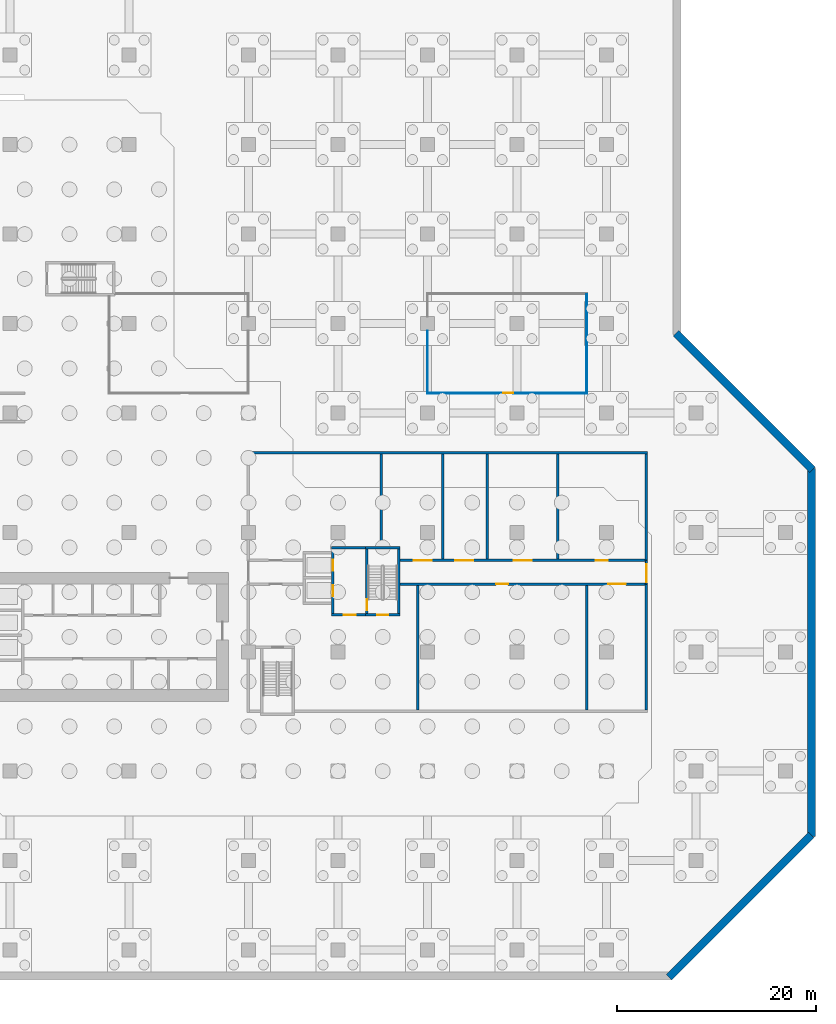
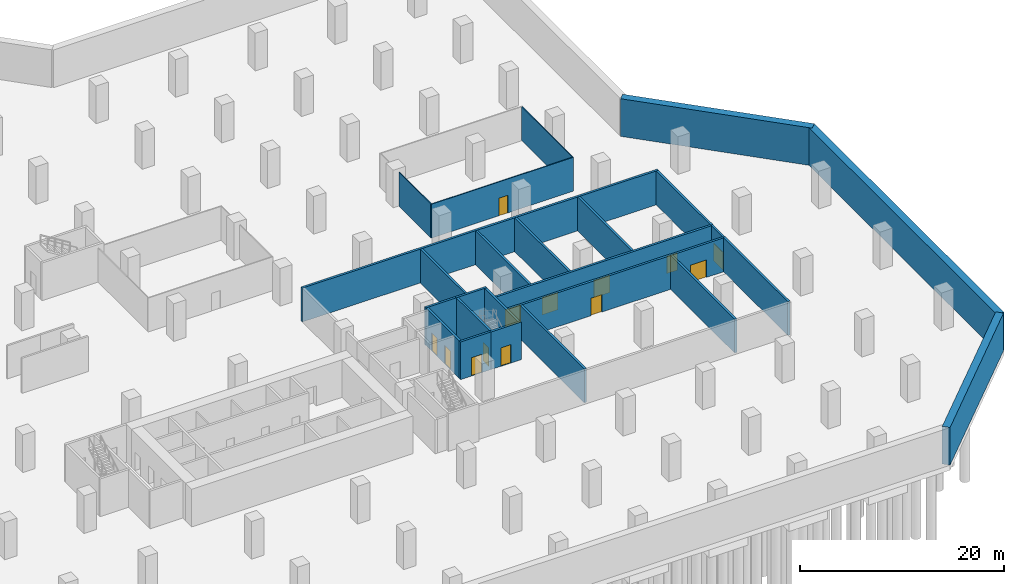
# One storey, part 9 of 13: 25 walls, 13 doors, 13 openings.
"""IFC4 building model written with IfcOpenShell, lengths in metres."""

from ifc_helpers import new_model, si_unit, direction, frame, frame_2d, origin, place, context, subcontext, project, spatial, rectangle, extrude, material, layer, layer_set, type_object, element, fill, save


model = new_model("IFC4")

# Units and contexts
model_context = context("Model", 3, precision=1e-05, world=origin(), true_north=direction((0.0, 1.0)))
body_context = subcontext(model_context, "Body", "Model", "MODEL_VIEW")
ifc_project = project(units=[si_unit("LENGTHUNIT", "METRE"), si_unit("AREAUNIT", "SQUARE_METRE"), si_unit("VOLUMEUNIT", "CUBIC_METRE"), si_unit("PLANEANGLEUNIT", "RADIAN"), si_unit("MASSUNIT", "GRAM", prefix="KILO")], contexts=[model_context])

# Site, building, storey
site_placement = place(None, origin())
site = spatial("IfcSite", under=ifc_project, at=site_placement, CompositionType="ELEMENT")
building_placement = place(site_placement, origin())
building = spatial("IfcBuilding", under=site, at=building_placement, Name="Chenar Terraces", CompositionType="ELEMENT")
storey_placement = place(building_placement, frame((0.0, 0.0, -13.5)))
storey = spatial("IfcBuildingStorey", under=building, at=storey_placement, Name="B3", CompositionType="ELEMENT", Elevation=-13.5)

# Wall, opening, door
ifc_material_1 = material(Name="Concrete C70/85", Category="concrete")
ifc_layer_1 = layer(ifc_material_1, 0.25)
ifc_layer_set_1 = layer_set([ifc_layer_1], Name="Concrete C70/85")
wall_type_1 = type_object("IfcWallType", Name="Core wall 250 Concrete C70/85", PredefinedType="SHEAR", material=ifc_layer_set_1)
wall_1_placement = place(storey_placement, frame((47.77490234375, 15.72509765625, 0.0), z_axis=(0.0, 0.0, 1.0), x_axis=(1.0, 0.0, 0.0)))
wall_1 = element("IfcWall", 1, at=wall_1_placement, inside=storey, type_object=wall_type_1, Name="Core wall ST3_S B3", PredefinedType="SHEAR", context=body_context, shape_type="SweptSolid", body=[
    extrude(rectangle(XDim=3.4501953125, YDim=0.25, at=frame_2d((1.72509765625, 0.0))), origin(), (0.0, 0.0, 1.0), 4.5),
])
opening_1_placement = place(wall_1_placement, frame((1.175048828125, 0.0, 0.0)))
opening_1 = element("IfcOpeningElement", 2, at=opening_1_placement, cuts=wall_1, Name="Opening DB3-C8", PredefinedType="OPENING", context=body_context, shape_type="SweptSolid", body=[
    extrude(rectangle(XDim=1.10009765625, YDim=2.199951171875, at=frame_2d((0.550048828125, 1.10009765625))), frame((0.0, 0.135009765625, 0.0), z_axis=(0.0, -1.0, 0.0), x_axis=(1.0, 0.0, 0.0)), (0.0, 0.0, 1.0), 0.27001953125),
])
ifc_material_2 = material(Name="Steel-framed fire-resisting door leaf", Category="steel")
door_type_1 = type_object("IfcDoorType", Name="Stair fire door FD60 1100 x 2200", OperationType="SINGLE_SWING_LEFT", PredefinedType="DOOR", material=ifc_material_2)
door_1_placement = place(opening_1_placement, frame((1.10009765625, 0.0, 0.0), z_axis=(0.0, 0.0, 1.0), x_axis=(-1.0, 0.0, 0.0)))
door_1 = element("IfcDoor", 3, at=door_1_placement, inside=storey, type_object=door_type_1, Name="Stair door DB3-C8", OperationType="SINGLE_SWING_RIGHT", OverallHeight=2.199951171875, OverallWidth=1.10009765625, PredefinedType="DOOR", context=body_context, shape_type="SweptSolid", body=[
    extrude(rectangle(XDim=1.10009765625, YDim=2.199951171875, at=frame_2d((0.550048828125, 1.10009765625))), frame((0.0, 0.02490234375, 0.0), z_axis=(0.0, -1.0, 0.0), x_axis=(1.0, 0.0, 0.0)), (0.0, 0.0, 1.0), 0.050048828125),
])
fill(opening_1, door_1)

# Wall
wall_2_placement = place(storey_placement, frame((47.77490234375, 22.47509765625, 0.0), z_axis=(0.0, 0.0, 1.0), x_axis=(1.0, 0.0, 0.0)))
element("IfcWall", 4, at=wall_2_placement, inside=storey, type_object=wall_type_1, Name="Core wall ST3_N B3", PredefinedType="SHEAR", context=body_context, shape_type="SweptSolid", body=[
    extrude(rectangle(XDim=3.4501953125, YDim=0.25, at=frame_2d((1.72509765625, 0.0))), origin(), (0.0, 0.0, 1.0), 4.5),
])

# Wall, opening, door
wall_3_placement = place(storey_placement, frame((47.89990234375, 15.85009765625, 0.0), z_axis=(0.0, 0.0, 1.0), x_axis=(0.0, 1.0, 0.0)))
wall_3 = element("IfcWall", 5, at=wall_3_placement, inside=storey, type_object=wall_type_1, Name="Core wall ST3_W B3", PredefinedType="SHEAR", context=body_context, shape_type="SweptSolid", body=[
    extrude(rectangle(XDim=6.5, YDim=0.25, at=frame_2d((3.25, 0.0))), origin(), (0.0, 0.0, 1.0), 4.5),
])
opening_2_placement = place(wall_3_placement, frame((0.35009765625, 0.0, 0.0)))
opening_2 = element("IfcOpeningElement", 6, at=opening_2_placement, cuts=wall_3, Name="Opening DB3-C11", PredefinedType="OPENING", context=body_context, shape_type="SweptSolid", body=[
    extrude(rectangle(XDim=1.10009765625, YDim=2.199951171875, at=frame_2d((0.550048828125, 1.10009765625))), frame((0.0, 0.135009765625, 0.0), z_axis=(0.0, -1.0, 0.0), x_axis=(1.0, 0.0, 0.0)), (0.0, 0.0, 1.0), 0.27001953125),
])
door_2_placement = place(opening_2_placement, frame((1.10009765625, 0.0, 0.0), z_axis=(0.0, 0.0, 1.0), x_axis=(-1.0, 0.0, 0.0)))
door_2 = element("IfcDoor", 7, at=door_2_placement, inside=storey, type_object=door_type_1, Name="Stair door DB3-C11", OperationType="SINGLE_SWING_RIGHT", OverallHeight=2.199951171875, OverallWidth=1.10009765625, PredefinedType="DOOR", context=body_context, shape_type="SweptSolid", body=[
    extrude(rectangle(XDim=1.10009765625, YDim=2.199951171875, at=frame_2d((0.550048828125, 1.10009765625))), frame((0.0, 0.02490234375, 0.0), z_axis=(0.0, -1.0, 0.0), x_axis=(1.0, 0.0, 0.0)), (0.0, 0.0, 1.0), 0.050048828125),
])
fill(opening_2, door_2)

# Wall
wall_4_placement = place(storey_placement, frame((51.10009765625, 15.85009765625, 0.0), z_axis=(0.0, 0.0, 1.0), x_axis=(0.0, 1.0, 0.0)))
element("IfcWall", 8, at=wall_4_placement, inside=storey, type_object=wall_type_1, Name="Core wall ST3_E B3", PredefinedType="SHEAR", context=body_context, shape_type="SweptSolid", body=[
    extrude(rectangle(XDim=6.5, YDim=0.25, at=frame_2d((3.25, 0.0))), origin(), (0.0, 0.0, 1.0), 4.5),
])

# Wall, opening, door
wall_5_placement = place(storey_placement, frame((44.35009765625, 15.72509765625, 0.0), z_axis=(0.0, 0.0, 1.0), x_axis=(1.0, 0.0, 0.0)))
wall_5 = element("IfcWall", 9, at=wall_5_placement, inside=storey, type_object=wall_type_1, Name="Core wall F3_LS B3", PredefinedType="SHEAR", context=body_context, shape_type="SweptSolid", body=[
    extrude(rectangle(XDim=3.4248046875, YDim=0.25, at=frame_2d((1.71240234375, 0.0))), origin(), (0.0, 0.0, 1.0), 4.5),
])
opening_3_placement = place(wall_5_placement, frame((1.25, 0.0, 0.0)))
opening_3 = element("IfcOpeningElement", 10, at=opening_3_placement, cuts=wall_5, Name="Opening DB3-C10", PredefinedType="OPENING", context=body_context, shape_type="SweptSolid", body=[
    extrude(rectangle(XDim=1.199951171875, YDim=2.199951171875, at=frame_2d((0.60009765625, 1.10009765625))), frame((0.0, 0.135009765625, 0.0), z_axis=(0.0, -1.0, 0.0), x_axis=(1.0, 0.0, 0.0)), (0.0, 0.0, 1.0), 0.27001953125),
])
ifc_material_3 = material(Name="Steel-framed fire-resisting door leaf", Category="steel")
door_type_2 = type_object("IfcDoorType", Name="Lobby fire door FD60 1200 x 2200", OperationType="SINGLE_SWING_LEFT", PredefinedType="DOOR", material=ifc_material_3)
door_3_placement = place(opening_3_placement, frame((1.199951171875, 0.0, 0.0), z_axis=(0.0, 0.0, 1.0), x_axis=(-1.0, 0.0, 0.0)))
door_3 = element("IfcDoor", 11, at=door_3_placement, inside=storey, type_object=door_type_2, Name="Core door DB3-C10", OperationType="SINGLE_SWING_RIGHT", OverallHeight=2.199951171875, OverallWidth=1.199951171875, PredefinedType="DOOR", context=body_context, shape_type="SweptSolid", body=[
    extrude(rectangle(XDim=1.199951171875, YDim=2.199951171875, at=frame_2d((0.60009765625, 1.10009765625))), frame((0.0, 0.02490234375, 0.0), z_axis=(0.0, -1.0, 0.0), x_axis=(1.0, 0.0, 0.0)), (0.0, 0.0, 1.0), 0.050048828125),
])
fill(opening_3, door_3)

# Wall
wall_6_placement = place(storey_placement, frame((44.35009765625, 22.47509765625, 0.0), z_axis=(0.0, 0.0, 1.0), x_axis=(1.0, 0.0, 0.0)))
element("IfcWall", 12, at=wall_6_placement, inside=storey, type_object=wall_type_1, Name="Core wall F3_LN B3", PredefinedType="SHEAR", context=body_context, shape_type="SweptSolid", body=[
    extrude(rectangle(XDim=3.4248046875, YDim=0.25, at=frame_2d((1.71240234375, 0.0))), origin(), (0.0, 0.0, 1.0), 4.5),
])

# Wall, openings, doors
wall_7_placement = place(storey_placement, frame((44.47509765625, 15.85009765625, 0.0), z_axis=(0.0, 0.0, 1.0), x_axis=(0.0, 1.0, 0.0)))
wall_7 = element("IfcWall", 13, at=wall_7_placement, inside=storey, type_object=wall_type_1, Name="Core wall F3_LW B3", PredefinedType="SHEAR", context=body_context, shape_type="SweptSolid", body=[
    extrude(rectangle(XDim=6.5, YDim=0.25, at=frame_2d((3.25, 0.0))), origin(), (0.0, 0.0, 1.0), 4.5),
])
opening_4_placement = place(wall_7_placement, frame((1.75, 0.0, 0.0)))
opening_4 = element("IfcOpeningElement", 14, at=opening_4_placement, cuts=wall_7, Name="Opening DB3-LD4", PredefinedType="OPENING", context=body_context, shape_type="SweptSolid", body=[
    extrude(rectangle(XDim=1.10009765625, YDim=2.199951171875, at=frame_2d((0.550048828125, 1.10009765625))), frame((0.0, 0.135009765625, 0.0), z_axis=(0.0, -1.0, 0.0), x_axis=(1.0, 0.0, 0.0)), (0.0, 0.0, 1.0), 0.27001953125),
])
opening_5_placement = place(wall_7_placement, frame((4.300048828125, 0.0, 0.0)))
opening_5 = element("IfcOpeningElement", 15, at=opening_5_placement, cuts=wall_7, Name="Opening DB3-LD5", PredefinedType="OPENING", context=body_context, shape_type="SweptSolid", body=[
    extrude(rectangle(XDim=1.10009765625, YDim=2.199951171875, at=frame_2d((0.550048828125, 1.10009765625))), frame((0.0, 0.135009765625, 0.0), z_axis=(0.0, -1.0, 0.0), x_axis=(1.0, 0.0, 0.0)), (0.0, 0.0, 1.0), 0.27001953125),
])
ifc_material_4 = material(Name="Stainless steel", Category="steel")
door_type_3 = type_object("IfcDoorType", Name="Lift landing door 1100 x 2200 sliding", OperationType="DOUBLE_DOOR_SLIDING", PredefinedType="DOOR", material=ifc_material_4)
door_4_placement = place(opening_4_placement, origin())
door_4 = element("IfcDoor", 16, at=door_4_placement, inside=storey, type_object=door_type_3, Name="Landing door F3", OperationType="DOUBLE_DOOR_SLIDING", OverallHeight=2.199951171875, OverallWidth=1.10009765625, PredefinedType="DOOR", context=body_context, shape_type="SweptSolid", body=[
    extrude(rectangle(XDim=1.10009765625, YDim=2.199951171875, at=frame_2d((0.550048828125, 1.10009765625))), frame((0.0, 0.02490234375, 0.0), z_axis=(0.0, -1.0, 0.0), x_axis=(1.0, 0.0, 0.0)), (0.0, 0.0, 1.0), 0.050048828125),
])
fill(opening_4, door_4)
door_5_placement = place(opening_5_placement, origin())
door_5 = element("IfcDoor", 17, at=door_5_placement, inside=storey, type_object=door_type_3, Name="Landing door F4", OperationType="DOUBLE_DOOR_SLIDING", OverallHeight=2.199951171875, OverallWidth=1.10009765625, PredefinedType="DOOR", context=body_context, shape_type="SweptSolid", body=[
    extrude(rectangle(XDim=1.10009765625, YDim=2.199951171875, at=frame_2d((0.550048828125, 1.10009765625))), frame((0.0, 0.02490234375, 0.0), z_axis=(0.0, -1.0, 0.0), x_axis=(1.0, 0.0, 0.0)), (0.0, 0.0, 1.0), 0.050048828125),
])
fill(opening_5, door_5)

# Wall, opening, door
ifc_material_5 = material(Name="Gypsum board on steel studs with fire boards", Category="steel")
ifc_layer_2 = layer(ifc_material_5, 0.199951171875)
ifc_layer_set_2 = layer_set([ifc_layer_2], Name="Gypsum board on steel studs with fire boards")
wall_type_2 = type_object("IfcWallType", Name="Corridor wall 200", PredefinedType="PARTITIONING", material=ifc_layer_set_2)
wall_8_placement = place(storey_placement, frame((76.0, 18.800048828125, 0.0), z_axis=(0.0, 0.0, 1.0), x_axis=(0.0, 1.0, 0.0)))
wall_8 = element("IfcWall", 18, at=wall_8_placement, inside=storey, type_object=wall_type_2, Name="Partition B3-030", PredefinedType="PARTITIONING", context=body_context, shape_type="SweptSolid", body=[
    extrude(rectangle(XDim=2.39990234375, YDim=0.199951171875, at=frame_2d((1.199951171875, 0.0))), origin(), (0.0, 0.0, 1.0), 4.050048828125),
])
opening_6_placement = place(wall_8_placement, frame((0.199951171875, 0.0, 0.0)))
opening_6 = element("IfcOpeningElement", 19, at=opening_6_placement, cuts=wall_8, Name="Opening DB3-2", PredefinedType="OPENING", context=body_context, shape_type="SweptSolid", body=[
    extrude(rectangle(XDim=1.800048828125, YDim=2.10009765625, at=frame_2d((0.89990234375, 1.050048828125))), frame((0.0, 0.10986328125, 0.0), z_axis=(0.0, -1.0, 0.0), x_axis=(1.0, 0.0, 0.0)), (0.0, 0.0, 1.0), 0.219970703125),
])
ifc_material_6 = material(Name="Steel-framed fire-resisting door leaf", Category="steel")
door_type_4 = type_object("IfcDoorType", Name="Fire double door FD60 1800 x 2100", OperationType="DOUBLE_DOOR_SINGLE_SWING", PredefinedType="DOOR", material=ifc_material_6)
door_6_placement = place(opening_6_placement, frame((1.800048828125, 0.0, 0.0), z_axis=(0.0, 0.0, 1.0), x_axis=(-1.0, 0.0, 0.0)))
door_6 = element("IfcDoor", 20, at=door_6_placement, inside=storey, type_object=door_type_4, Name="Door DB3-2", OperationType="DOUBLE_DOOR_SINGLE_SWING", OverallHeight=2.10009765625, OverallWidth=1.800048828125, PredefinedType="DOOR", context=body_context, shape_type="SweptSolid", body=[
    extrude(rectangle(XDim=1.800048828125, YDim=2.10009765625, at=frame_2d((0.89990234375, 1.050048828125))), frame((0.0, 0.02490234375, 0.0), z_axis=(0.0, -1.0, 0.0), x_axis=(1.0, 0.0, 0.0)), (0.0, 0.0, 1.0), 0.050048828125),
])
fill(opening_6, door_6)

# Walls
ifc_material_7 = material(Name="Concrete C40/50", Category="concrete")
ifc_layer_3 = layer(ifc_material_7, 0.800048828125)
ifc_layer_set_3 = layer_set([ifc_layer_3], Name="Concrete C40/50")
wall_type_3 = type_object("IfcWallType", Name="Diaphragm wall 800 Concrete C40/50", PredefinedType="SOLIDWALL", material=ifc_layer_set_3)
wall_9_placement = place(storey_placement, frame((78.294189453125, -20.71728515625, 0.0), z_axis=(0.0, 0.0, 1.0), x_axis=(0.707112814855, 0.707100747466, 0.0)))
element("IfcWall", 21, at=wall_9_placement, inside=storey, type_object=wall_type_3, Name="Diaphragm wall B3 7", PredefinedType="SOLIDWALL", context=body_context, shape_type="SweptSolid", body=[
    extrude(rectangle(XDim=20.2314453125, YDim=0.800048828125, at=frame_2d((10.11572265625, 0.0))), origin(), (0.0, 0.0, 1.0), 4.5),
])
wall_10_placement = place(storey_placement, frame((92.60009765625, -6.5771484375, 0.0), z_axis=(0.0, 0.0, 1.0), x_axis=(0.0, 1.0, 0.0)))
element("IfcWall", 22, at=wall_10_placement, inside=storey, type_object=wall_type_3, Name="Diaphragm wall B3 8", PredefinedType="SOLIDWALL", context=body_context, shape_type="SweptSolid", body=[
    extrude(rectangle(XDim=36.98876953125, YDim=0.800048828125, at=frame_2d((18.494384765625, 0.0))), origin(), (0.0, 0.0, 1.0), 4.5),
])
wall_11_placement = place(storey_placement, frame((92.71728515625, 30.294189453125, 0.0), z_axis=(0.0, 0.0, 1.0), x_axis=(-0.707106781187, 0.707106781187, 0.0)))
element("IfcWall", 23, at=wall_11_placement, inside=storey, type_object=wall_type_3, Name="Diaphragm wall B3 9", PredefinedType="SOLIDWALL", context=body_context, shape_type="SweptSolid", body=[
    extrude(rectangle(XDim=19.42333984375, YDim=0.800048828125, at=frame_2d((9.711669921875, 0.0))), origin(), (0.0, 0.0, 1.0), 4.5),
])

# Wall, opening, door
ifc_material_8 = material(Name="Gypsum board on steel studs", Category="steel")
ifc_layer_4 = layer(ifc_material_8, 0.10009765625)
ifc_layer_set_4 = layer_set([ifc_layer_4], Name="Gypsum board on steel studs")
wall_type_4 = type_object("IfcWallType", Name="Gypsum partition 100", PredefinedType="PARTITIONING", material=ifc_layer_set_4)
wall_12_placement = place(storey_placement, frame((53.949951171875, 38.0, 0.0), z_axis=(0.0, 0.0, 1.0), x_axis=(1.0, 0.0, 0.0)))
wall_12 = element("IfcWall", 24, at=wall_12_placement, inside=storey, type_object=wall_type_4, Name="Partition B3-020", PredefinedType="PARTITIONING", context=body_context, shape_type="SweptSolid", body=[
    extrude(rectangle(XDim=16.10009765625, YDim=0.10009765625, at=frame_2d((8.050048828125, 0.0))), origin(), (0.0, 0.0, 1.0), 4.050048828125),
])
opening_7_placement = place(wall_12_placement, frame((7.64990234375, 0.0, 0.0)))
opening_7 = element("IfcOpeningElement", 25, at=opening_7_placement, cuts=wall_12, Name="Opening DB3-11", PredefinedType="OPENING", context=body_context, shape_type="SweptSolid", body=[
    extrude(rectangle(XDim=1.0, YDim=2.10009765625, at=frame_2d((0.5, 1.050048828125))), frame((0.0, 0.06005859375, 0.0), z_axis=(0.0, -1.0, 0.0), x_axis=(1.0, 0.0, 0.0)), (0.0, 0.0, 1.0), 0.1201171875),
])
ifc_material_9 = material(Name="Veneered timber door leaf", Category="wood")
door_type_5 = type_object("IfcDoorType", Name="Door 1000 x 2100", OperationType="SINGLE_SWING_LEFT", PredefinedType="DOOR", material=ifc_material_9)
door_7_placement = place(opening_7_placement, origin())
door_7 = element("IfcDoor", 26, at=door_7_placement, inside=storey, type_object=door_type_5, Name="Door DB3-11", OperationType="SINGLE_SWING_LEFT", OverallHeight=2.10009765625, OverallWidth=1.0, PredefinedType="DOOR", context=body_context, shape_type="SweptSolid", body=[
    extrude(rectangle(XDim=1.0, YDim=2.10009765625, at=frame_2d((0.5, 1.050048828125))), frame((0.0, 0.02490234375, 0.0), z_axis=(0.0, -1.0, 0.0), x_axis=(1.0, 0.0, 0.0)), (0.0, 0.0, 1.0), 0.050048828125),
])
fill(opening_7, door_7)

# Walls
wall_13_placement = place(storey_placement, frame((54.0, 38.050048828125, 0.0), z_axis=(0.0, 0.0, 1.0), x_axis=(0.0, 1.0, 0.0)))
element("IfcWall", 27, at=wall_13_placement, inside=storey, type_object=wall_type_4, Name="Partition B3-022", PredefinedType="PARTITIONING", context=body_context, shape_type="SweptSolid", body=[
    extrude(rectangle(XDim=6.2509765625, YDim=0.10009765625, at=frame_2d((3.12548828125, 0.0))), origin(), (0.0, 0.0, 1.0), 4.050048828125),
])
wall_14_placement = place(storey_placement, frame((70.0, 38.050048828125, 0.0), z_axis=(0.0, 0.0, 1.0), x_axis=(0.0, 1.0, 0.0)))
element("IfcWall", 28, at=wall_14_placement, inside=storey, type_object=wall_type_4, Name="Partition B3-028", PredefinedType="PARTITIONING", context=body_context, shape_type="SweptSolid", body=[
    extrude(rectangle(XDim=9.89990234375, YDim=0.10009765625, at=frame_2d((4.949951171875, 0.0))), origin(), (0.0, 0.0, 1.0), 4.050048828125),
])
ifc_material_10 = material(Name="Fire-board and steel stud wall with mineral wool", Category="steel")
ifc_layer_5 = layer(ifc_material_10, 0.25)
ifc_layer_set_5 = layer_set([ifc_layer_5], Name="Fire-board and steel stud wall with mineral wool")
wall_type_5 = type_object("IfcWallType", Name="Plant room wall 250", PredefinedType="PARTITIONING", material=ifc_layer_set_5)
wall_15_placement = place(storey_placement, frame((35.875, 32.0, 0.0), z_axis=(0.0, 0.0, 1.0), x_axis=(1.0, 0.0, 0.0)))
element("IfcWall", 29, at=wall_15_placement, inside=storey, type_object=wall_type_5, Name="Partition B3-004", PredefinedType="PARTITIONING", context=body_context, shape_type="SweptSolid", body=[
    extrude(rectangle(XDim=40.25, YDim=0.25, at=frame_2d((20.125, 0.0))), origin(), (0.0, 0.0, 1.0), 4.050048828125),
])
wall_16_placement = place(storey_placement, frame((49.3330078125, 22.60009765625, 0.0), z_axis=(0.0, 0.0, 1.0), x_axis=(0.0, 1.0, 0.0)))
element("IfcWall", 30, at=wall_16_placement, inside=storey, type_object=wall_type_5, Name="Partition B3-016", PredefinedType="PARTITIONING", context=body_context, shape_type="SweptSolid", body=[
    extrude(rectangle(XDim=9.27490234375, YDim=0.25, at=frame_2d((4.637451171875, 0.0))), origin(), (0.0, 0.0, 1.0), 4.050048828125),
])

# Wall, openings, doors
wall_17_placement = place(storey_placement, frame((51.22509765625, 18.800048828125, 0.0), z_axis=(0.0, 0.0, 1.0), x_axis=(1.0, 0.0, 0.0)))
wall_17 = element("IfcWall", 31, at=wall_17_placement, inside=storey, type_object=wall_type_5, Name="Partition B3-017", PredefinedType="PARTITIONING", context=body_context, shape_type="SweptSolid", body=[
    extrude(rectangle(XDim=24.64990234375, YDim=0.25, at=frame_2d((12.324951171875, 0.0))), origin(), (0.0, 0.0, 1.0), 4.050048828125),
])
opening_8_placement = place(wall_17_placement, frame((9.675048828125, 0.0, 0.0)))
opening_8 = element("IfcOpeningElement", 32, at=opening_8_placement, cuts=wall_17, Name="Opening DB3-4", PredefinedType="OPENING", context=body_context, shape_type="SweptSolid", body=[
    extrude(rectangle(XDim=1.199951171875, YDim=2.10009765625, at=frame_2d((0.60009765625, 1.050048828125))), frame((0.0, 0.135009765625, 0.0), z_axis=(0.0, -1.0, 0.0), x_axis=(1.0, 0.0, 0.0)), (0.0, 0.0, 1.0), 0.27001953125),
])
opening_9_placement = place(wall_17_placement, frame((20.925048828125, 0.0, 0.0)))
opening_9 = element("IfcOpeningElement", 33, at=opening_9_placement, cuts=wall_17, Name="Opening DB3-5", PredefinedType="OPENING", context=body_context, shape_type="SweptSolid", body=[
    extrude(rectangle(XDim=1.800048828125, YDim=2.10009765625, at=frame_2d((0.89990234375, 1.050048828125))), frame((0.0, 0.135009765625, 0.0), z_axis=(0.0, -1.0, 0.0), x_axis=(1.0, 0.0, 0.0)), (0.0, 0.0, 1.0), 0.27001953125),
])
ifc_material_11 = material(Name="Steel-framed fire-resisting door leaf", Category="steel")
door_type_6 = type_object("IfcDoorType", Name="Fire door FD120 1200 x 2100", OperationType="SINGLE_SWING_LEFT", PredefinedType="DOOR", material=ifc_material_11)
door_8_placement = place(opening_8_placement, frame((1.199951171875, 0.0, 0.0), z_axis=(0.0, 0.0, 1.0), x_axis=(-1.0, 0.0, 0.0)))
door_8 = element("IfcDoor", 34, at=door_8_placement, inside=storey, type_object=door_type_6, Name="Door DB3-4", OperationType="SINGLE_SWING_LEFT", OverallHeight=2.10009765625, OverallWidth=1.199951171875, PredefinedType="DOOR", context=body_context, shape_type="SweptSolid", body=[
    extrude(rectangle(XDim=1.199951171875, YDim=2.10009765625, at=frame_2d((0.60009765625, 1.050048828125))), frame((0.0, 0.02490234375, 0.0), z_axis=(0.0, -1.0, 0.0), x_axis=(1.0, 0.0, 0.0)), (0.0, 0.0, 1.0), 0.050048828125),
])
fill(opening_8, door_8)
ifc_material_12 = material(Name="Steel-framed fire-resisting door leaf", Category="steel")
door_type_7 = type_object("IfcDoorType", Name="Fire double door FD120 1800 x 2100", OperationType="DOUBLE_DOOR_SINGLE_SWING", PredefinedType="DOOR", material=ifc_material_12)
door_9_placement = place(opening_9_placement, frame((1.800048828125, 0.0, 0.0), z_axis=(0.0, 0.0, 1.0), x_axis=(-1.0, 0.0, 0.0)))
door_9 = element("IfcDoor", 35, at=door_9_placement, inside=storey, type_object=door_type_7, Name="Door DB3-5", OperationType="DOUBLE_DOOR_SINGLE_SWING", OverallHeight=2.10009765625, OverallWidth=1.800048828125, PredefinedType="DOOR", context=body_context, shape_type="SweptSolid", body=[
    extrude(rectangle(XDim=1.800048828125, YDim=2.10009765625, at=frame_2d((0.89990234375, 1.050048828125))), frame((0.0, 0.02490234375, 0.0), z_axis=(0.0, -1.0, 0.0), x_axis=(1.0, 0.0, 0.0)), (0.0, 0.0, 1.0), 0.050048828125),
])
fill(opening_9, door_9)

wall_18_placement = place(storey_placement, frame((51.22509765625, 21.199951171875, 0.0), z_axis=(0.0, 0.0, 1.0), x_axis=(1.0, 0.0, 0.0)))
wall_18 = element("IfcWall", 36, at=wall_18_placement, inside=storey, type_object=wall_type_5, Name="Partition B3-018", PredefinedType="PARTITIONING", context=body_context, shape_type="SweptSolid", body=[
    extrude(rectangle(XDim=24.64990234375, YDim=0.25, at=frame_2d((12.324951171875, 0.0))), origin(), (0.0, 0.0, 1.0), 4.050048828125),
])
opening_10_placement = place(wall_18_placement, frame((1.381103515625, 0.0, 0.0)))
opening_10 = element("IfcOpeningElement", 37, at=opening_10_placement, cuts=wall_18, Name="Opening DB3-7", PredefinedType="OPENING", context=body_context, shape_type="SweptSolid", body=[
    extrude(rectangle(XDim=1.800048828125, YDim=2.10009765625, at=frame_2d((0.89990234375, 1.050048828125))), frame((0.0, 0.135009765625, 0.0), z_axis=(0.0, -1.0, 0.0), x_axis=(1.0, 0.0, 0.0)), (0.0, 0.0, 1.0), 0.27001953125),
])
opening_11_placement = place(wall_18_placement, frame((5.574951171875, 0.0, 0.0)))
opening_11 = element("IfcOpeningElement", 38, at=opening_11_placement, cuts=wall_18, Name="Opening DB3-8", PredefinedType="OPENING", context=body_context, shape_type="SweptSolid", body=[
    extrude(rectangle(XDim=1.800048828125, YDim=2.10009765625, at=frame_2d((0.89990234375, 1.050048828125))), frame((0.0, 0.135009765625, 0.0), z_axis=(0.0, -1.0, 0.0), x_axis=(1.0, 0.0, 0.0)), (0.0, 0.0, 1.0), 0.27001953125),
])
opening_12_placement = place(wall_18_placement, frame((11.43603515625, 0.0, 0.0)))
opening_12 = element("IfcOpeningElement", 39, at=opening_12_placement, cuts=wall_18, Name="Opening DB3-9", PredefinedType="OPENING", context=body_context, shape_type="SweptSolid", body=[
    extrude(rectangle(XDim=1.800048828125, YDim=2.10009765625, at=frame_2d((0.89990234375, 1.050048828125))), frame((0.0, 0.135009765625, 0.0), z_axis=(0.0, -1.0, 0.0), x_axis=(1.0, 0.0, 0.0)), (0.0, 0.0, 1.0), 0.27001953125),
])
opening_13_placement = place(wall_18_placement, frame((19.675048828125, 0.0, 0.0)))
opening_13 = element("IfcOpeningElement", 40, at=opening_13_placement, cuts=wall_18, Name="Opening DB3-10", PredefinedType="OPENING", context=body_context, shape_type="SweptSolid", body=[
    extrude(rectangle(XDim=1.199951171875, YDim=2.10009765625, at=frame_2d((0.60009765625, 1.050048828125))), frame((0.0, 0.135009765625, 0.0), z_axis=(0.0, -1.0, 0.0), x_axis=(1.0, 0.0, 0.0)), (0.0, 0.0, 1.0), 0.27001953125),
])
door_10_placement = place(opening_13_placement, origin())
door_10 = element("IfcDoor", 41, at=door_10_placement, inside=storey, type_object=door_type_6, Name="Door DB3-10", OperationType="SINGLE_SWING_RIGHT", OverallHeight=2.10009765625, OverallWidth=1.199951171875, PredefinedType="DOOR", context=body_context, shape_type="SweptSolid", body=[
    extrude(rectangle(XDim=1.199951171875, YDim=2.10009765625, at=frame_2d((0.60009765625, 1.050048828125))), frame((0.0, 0.02490234375, 0.0), z_axis=(0.0, -1.0, 0.0), x_axis=(1.0, 0.0, 0.0)), (0.0, 0.0, 1.0), 0.050048828125),
])
fill(opening_13, door_10)
door_11_placement = place(opening_10_placement, origin())
door_11 = element("IfcDoor", 42, at=door_11_placement, inside=storey, type_object=door_type_7, Name="Door DB3-7", OperationType="DOUBLE_DOOR_SINGLE_SWING", OverallHeight=2.10009765625, OverallWidth=1.800048828125, PredefinedType="DOOR", context=body_context, shape_type="SweptSolid", body=[
    extrude(rectangle(XDim=1.800048828125, YDim=2.10009765625, at=frame_2d((0.89990234375, 1.050048828125))), frame((0.0, 0.02490234375, 0.0), z_axis=(0.0, -1.0, 0.0), x_axis=(1.0, 0.0, 0.0)), (0.0, 0.0, 1.0), 0.050048828125),
])
fill(opening_10, door_11)
door_12_placement = place(opening_11_placement, origin())
door_12 = element("IfcDoor", 43, at=door_12_placement, inside=storey, type_object=door_type_7, Name="Door DB3-8", OperationType="DOUBLE_DOOR_SINGLE_SWING", OverallHeight=2.10009765625, OverallWidth=1.800048828125, PredefinedType="DOOR", context=body_context, shape_type="SweptSolid", body=[
    extrude(rectangle(XDim=1.800048828125, YDim=2.10009765625, at=frame_2d((0.89990234375, 1.050048828125))), frame((0.0, 0.02490234375, 0.0), z_axis=(0.0, -1.0, 0.0), x_axis=(1.0, 0.0, 0.0)), (0.0, 0.0, 1.0), 0.050048828125),
])
fill(opening_11, door_12)
door_13_placement = place(opening_12_placement, origin())
door_13 = element("IfcDoor", 44, at=door_13_placement, inside=storey, type_object=door_type_7, Name="Door DB3-9", OperationType="DOUBLE_DOOR_SINGLE_SWING", OverallHeight=2.10009765625, OverallWidth=1.800048828125, PredefinedType="DOOR", context=body_context, shape_type="SweptSolid", body=[
    extrude(rectangle(XDim=1.800048828125, YDim=2.10009765625, at=frame_2d((0.89990234375, 1.050048828125))), frame((0.0, 0.02490234375, 0.0), z_axis=(0.0, -1.0, 0.0), x_axis=(1.0, 0.0, 0.0)), (0.0, 0.0, 1.0), 0.050048828125),
])
fill(opening_12, door_13)

# Walls
wall_19_placement = place(storey_placement, frame((53.0, 6.125, 0.0), z_axis=(0.0, 0.0, 1.0), x_axis=(0.0, 1.0, 0.0)))
element("IfcWall", 45, at=wall_19_placement, inside=storey, type_object=wall_type_5, Name="Partition B3-019", PredefinedType="PARTITIONING", context=body_context, shape_type="SweptSolid", body=[
    extrude(rectangle(XDim=12.550048828125, YDim=0.25, at=frame_2d((6.27490234375, 0.0))), origin(), (0.0, 0.0, 1.0), 4.050048828125),
])
for number, where, z_axis, x_axis, name in (
    (46, (55.555908203125, 21.324951171875, 0.0), (0.0, 0.0, 1.0), (0.0, 1.0, 0.0), "Partition B3-024"),
    (47, (60.0, 21.324951171875, 0.0), (0.0, 0.0, 1.0), (0.0, 1.0, 0.0), "Partition B3-025"),
    (48, (67.111083984375, 21.324951171875, 0.0), (0.0, 0.0, 1.0), (0.0, 1.0, 0.0), "Partition B3-026"),
):
    element("IfcWall", number, at=place(storey_placement, frame(where, z_axis=z_axis, x_axis=x_axis)), inside=storey, type_object=wall_type_5, Name=name, PredefinedType="PARTITIONING", context=body_context, shape_type="SweptSolid", body=[
        extrude(rectangle(XDim=10.550048828125, YDim=0.25, at=frame_2d((5.27490234375, 0.0))), origin(), (0.0, 0.0, 1.0), 4.050048828125),
    ])
wall_20_placement = place(storey_placement, frame((70.0, 6.125, 0.0), z_axis=(0.0, 0.0, 1.0), x_axis=(0.0, 1.0, 0.0)))
element("IfcWall", 49, at=wall_20_placement, inside=storey, type_object=wall_type_5, Name="Partition B3-027", PredefinedType="PARTITIONING", context=body_context, shape_type="SweptSolid", body=[
    extrude(rectangle(XDim=12.550048828125, YDim=0.25, at=frame_2d((6.27490234375, 0.0))), origin(), (0.0, 0.0, 1.0), 4.050048828125),
])
wall_21_placement = place(storey_placement, frame((76.0, 6.125, 0.0), z_axis=(0.0, 0.0, 1.0), x_axis=(0.0, 1.0, 0.0)))
element("IfcWall", 50, at=wall_21_placement, inside=storey, type_object=wall_type_5, Name="Partition B3-029", PredefinedType="PARTITIONING", context=body_context, shape_type="SweptSolid", body=[
    extrude(rectangle(XDim=12.675048828125, YDim=0.25, at=frame_2d((6.33740234375, 0.0))), origin(), (0.0, 0.0, 1.0), 4.050048828125),
])
wall_22_placement = place(storey_placement, frame((76.0, 21.199951171875, 0.0), z_axis=(0.0, 0.0, 1.0), x_axis=(0.0, 1.0, 0.0)))
element("IfcWall", 51, at=wall_22_placement, inside=storey, type_object=wall_type_5, Name="Partition B3-031", PredefinedType="PARTITIONING", context=body_context, shape_type="SweptSolid", body=[
    extrude(rectangle(XDim=10.675048828125, YDim=0.25, at=frame_2d((5.33740234375, 0.0))), origin(), (0.0, 0.0, 1.0), 4.050048828125),
])

save(model, "model.ifc")
